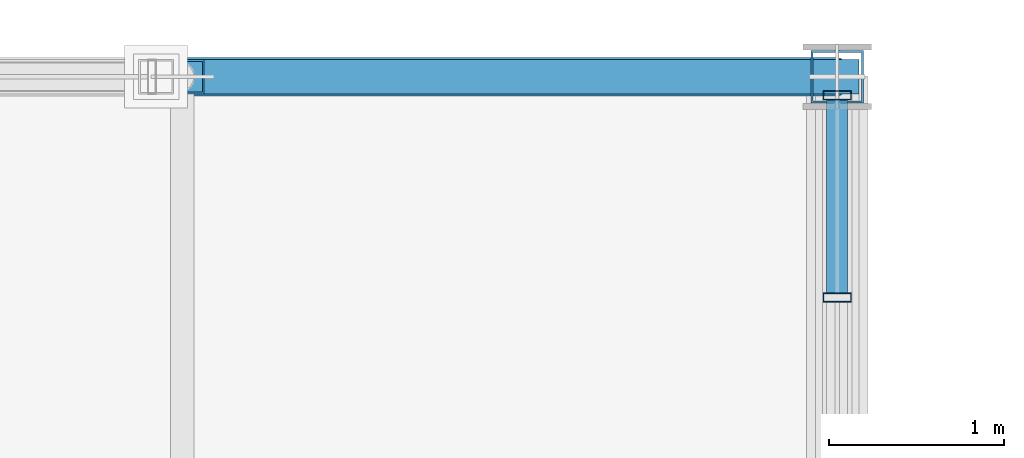
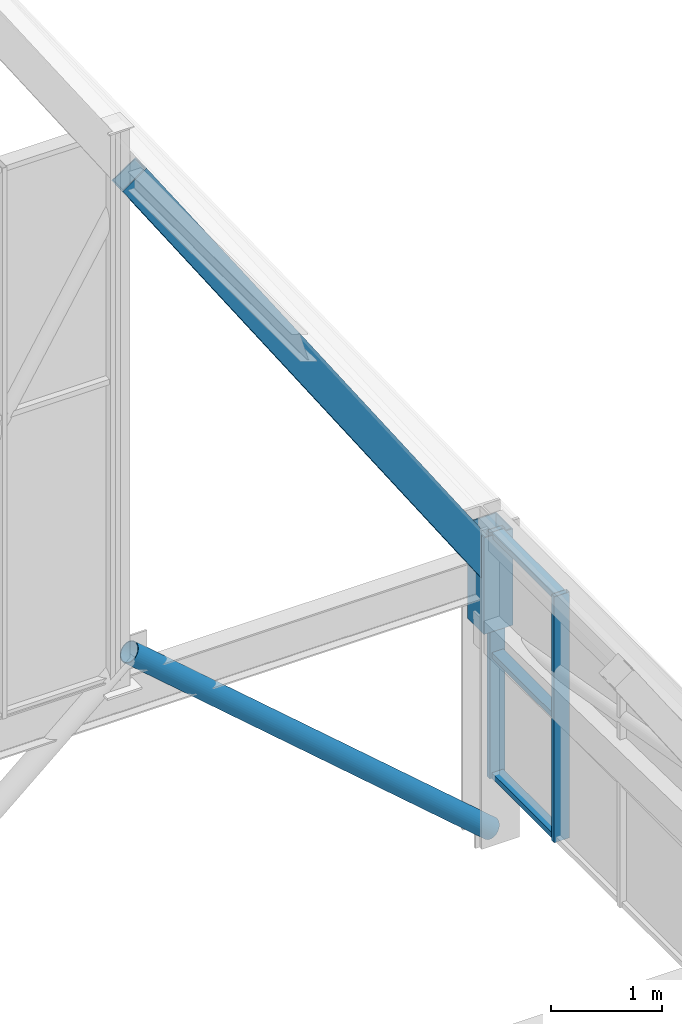
# One storey, part 244 of 324: 8 members, 1 element without a shape of its own.
"""IFC4 building model written with IfcOpenShell, lengths in metres."""

from ifc_helpers import new_model, si_unit, direction, frame, origin, origin_2d, place, context, subcontext, project, spatial, hollow_rectangle, hollow_circle, extrude, material, layer, layer_set, material_profile, profile_set, type_object, element, aggregate, save


model = new_model("IFC4")

# Units and contexts
model_context = context("Model", 3, precision=1e-05, world=origin(), true_north=direction((0.0, 1.0)))
body_context = subcontext(model_context, "Body", "Model", "MODEL_VIEW")
ifc_project = project(units=[si_unit("LENGTHUNIT", "METRE"), si_unit("AREAUNIT", "SQUARE_METRE"), si_unit("VOLUMEUNIT", "CUBIC_METRE"), si_unit("PLANEANGLEUNIT", "RADIAN"), si_unit("MASSUNIT", "GRAM", prefix="KILO")], contexts=[model_context])

# Site, building, storey
site_placement = place(None, origin())
site = spatial("IfcSite", under=ifc_project, at=site_placement, CompositionType="ELEMENT")
building_placement = place(site_placement, origin())
building = spatial("IfcBuilding", under=site, at=building_placement, Name="Solvenia Promenade Tram Depot", CompositionType="ELEMENT")
storey_placement = place(building_placement, frame((0.0, 0.0, 4.5)))
storey = spatial("IfcBuildingStorey", under=building, at=storey_placement, Name="L01", CompositionType="ELEMENT", Elevation=4.5)

# Member
ifc_material_1 = material(Name="Structural steel ASTM A500 Gr. C", Category="steel")
ifc_material_profile_1 = material_profile(ifc_material_1, hollow_circle(Radius=0.109619140625, WallThickness=0.008056640625, at=origin_2d()), Name="CHS219.1x8", Category="steel")
ifc_profile_set_1 = profile_set([ifc_material_profile_1], Name="Structural steel ASTM A500 Gr. C")
member_type_1 = type_object("IfcMemberType", Name="Brace-CHS219x8", PredefinedType="BRACE", material=ifc_profile_set_1)
member_1_placement = place(storey_placement, frame((150.0, 126.0, 0.050048828125), z_axis=(-0.75568908279, 0.0, 0.654930538418), x_axis=(0.0, -1.0, 0.0)))
element("IfcMember", 1, at=member_1_placement, inside=storey, type_object=member_type_1, Name="PAC-DES Chevron Brace 06R", PredefinedType="BRACE", context=body_context, shape_type="SweptSolid", body=[
    extrude(hollow_circle(Radius=0.109619140625, WallThickness=0.008056640625, at=origin_2d()), origin(), (0.0, 0.0, 1.0), 4.96240234375),
])

# Curtain wall, members
ifc_material_2 = material(Name="Anodized aluminium AW-6063 T6", Category="aluminium")
ifc_layer = layer(ifc_material_2, 0.159912109375, Name="Anodized aluminium AW-6063 T6", Category="aluminium")
ifc_layer_set = layer_set([ifc_layer], Name="Anodized aluminium AW-6063 T6")
curtain_wall_type = type_object("IfcCurtainWallType", Name="CW-Channel-1200", PredefinedType="NOTDEFINED", material=ifc_layer_set)
curtain_wall_placement = place(storey_placement, origin())
curtain_wall = element("IfcCurtainWall", 2, at=curtain_wall_placement, inside=storey, type_object=curtain_wall_type, Name="Curtain Wall CW-V1E-10", PredefinedType="NOTDEFINED")
ifc_material_profile_2 = material_profile(ifc_material_2, hollow_rectangle(XDim=0.159912109375, YDim=0.052001953125, WallThickness=0.00390625, at=origin_2d()), Name="ALU-M1", Category="aluminium")
ifc_profile_set_2 = profile_set([ifc_material_profile_2], Name="Anodized aluminium AW-6063 T6")
member_type_2 = type_object("IfcMemberType", Name="CWM-Mullion-1", PredefinedType="MULLION", material=ifc_profile_set_2)
member_2_placement = place(storey_placement, frame((150.0, 124.736083984375, 0.699951171875), z_axis=(0.0, 0.0, 1.0), x_axis=(-1.0, 0.0, 0.0)))
member_2 = element("IfcMember", 3, at=member_2_placement, type_object=member_type_2, Name="CW-1 mullion 5", PredefinedType="MULLION", context=body_context, shape_type="SweptSolid", body=[
    extrude(hollow_rectangle(XDim=0.159912109375, YDim=0.052001953125, WallThickness=0.00390625, at=origin_2d()), origin(), (0.0, 0.0, 1.0), 2.699951171875),
])
member_3_placement = place(storey_placement, frame((150.0, 125.89404296875, 0.699951171875), z_axis=(0.0, 0.0, 1.0), x_axis=(-1.0, 0.0, 0.0)))
member_3 = element("IfcMember", 4, at=member_3_placement, type_object=member_type_2, Name="CW-1 mullion 6", PredefinedType="MULLION", context=body_context, shape_type="SweptSolid", body=[
    extrude(hollow_rectangle(XDim=0.159912109375, YDim=0.052001953125, WallThickness=0.00390625, at=origin_2d()), origin(), (0.0, 0.0, 1.0), 2.699951171875),
])
ifc_material_profile_3 = material_profile(ifc_material_2, hollow_rectangle(XDim=0.1201171875, YDim=0.06005859375, WallThickness=0.00390625, at=origin_2d()), Name="ALU-T1", Category="aluminium")
ifc_profile_set_3 = profile_set([ifc_material_profile_3], Name="Anodized aluminium AW-6063 T6")
member_type_3 = type_object("IfcMemberType", Name="CWT-Transom-1", PredefinedType="USERDEFINED", material=ifc_profile_set_3)
member_4_placement = place(storey_placement, frame((150.0, 124.761962890625, 0.72998046875), z_axis=(0.0, 1.0, 0.0), x_axis=(-1.0, 0.0, 0.0)))
member_4 = element("IfcMember", 5, at=member_4_placement, type_object=member_type_3, Name="CW-1 transom 5.1", ObjectType="TRANSOM", PredefinedType="USERDEFINED", context=body_context, shape_type="SweptSolid", body=[
    extrude(hollow_rectangle(XDim=0.1201171875, YDim=0.06005859375, WallThickness=0.00390625, at=origin_2d()), origin(), (0.0, 0.0, 1.0), 1.10595703125),
])
member_5_placement = place(storey_placement, frame((150.0, 124.761962890625, 2.050048828125), z_axis=(0.0, 1.0, 0.0), x_axis=(-1.0, 0.0, 0.0)))
member_5 = element("IfcMember", 6, at=member_5_placement, type_object=member_type_3, Name="CW-1 transom 5.2", ObjectType="TRANSOM", PredefinedType="USERDEFINED", context=body_context, shape_type="SweptSolid", body=[
    extrude(hollow_rectangle(XDim=0.1201171875, YDim=0.06005859375, WallThickness=0.00390625, at=origin_2d()), origin(), (0.0, 0.0, 1.0), 1.10595703125),
])
member_6_placement = place(storey_placement, frame((150.0, 124.761962890625, 3.3701171875), z_axis=(0.0, 1.0, 0.0), x_axis=(-1.0, 0.0, 0.0)))
member_6 = element("IfcMember", 7, at=member_6_placement, type_object=member_type_3, Name="CW-1 transom 5.3", ObjectType="TRANSOM", PredefinedType="USERDEFINED", context=body_context, shape_type="SweptSolid", body=[
    extrude(hollow_rectangle(XDim=0.1201171875, YDim=0.06005859375, WallThickness=0.00390625, at=origin_2d()), origin(), (0.0, 0.0, 1.0), 1.10595703125),
])
aggregate(curtain_wall, [member_2, member_3, member_4, member_5, member_6])

# Members
ifc_material_profile_4 = material_profile(ifc_material_1, hollow_rectangle(XDim=0.199951171875, YDim=0.300048828125, WallThickness=0.012451171875, at=origin_2d()), Name="HSS300x200x12.5", Category="steel")
ifc_profile_set_4 = profile_set([ifc_material_profile_4], Name="Structural steel ASTM A500 Gr. C")
member_type_4 = type_object("IfcMemberType", Name="Chord-HSS300x200x12", PredefinedType="CHORD", material=ifc_profile_set_4)
member_7_placement = place(storey_placement, frame((146.25, 126.0, 8.54443359375), z_axis=(0.557276274528, 0.0, -0.830327136644), x_axis=(0.0, 1.0, 0.0)))
element("IfcMember", 8, at=member_7_placement, inside=storey, type_object=member_type_4, Name="Zigzag Gable 10 East Lower Rafter", PredefinedType="CHORD", context=body_context, shape_type="SweptSolid", body=[
    extrude(hollow_rectangle(XDim=0.199951171875, YDim=0.300048828125, WallThickness=0.012451171875, at=origin_2d()), origin(), (0.0, 0.0, 1.0), 6.729248046875),
])
ifc_material_profile_5 = material_profile(ifc_material_1, hollow_rectangle(XDim=0.300048828125, YDim=0.300048828125, WallThickness=0.012451171875, at=origin_2d()), Name="HSS300x300x12.5", Category="steel")
ifc_profile_set_5 = profile_set([ifc_material_profile_5], Name="Structural steel ASTM A500 Gr. C")
member_type_5 = type_object("IfcMemberType", Name="Chord-HSS300x300x12", PredefinedType="CHORD", material=ifc_profile_set_5)
member_8_placement = place(storey_placement, frame((150.0, 126.0, 2.320068359375), z_axis=(0.0, 0.0, 1.0), x_axis=(1.0, 0.0, 0.0)))
element("IfcMember", 9, at=member_8_placement, inside=storey, type_object=member_type_5, Name="Arched Truss T21 N End Post", PredefinedType="CHORD", context=body_context, shape_type="SweptSolid", body=[
    extrude(hollow_rectangle(XDim=0.300048828125, YDim=0.300048828125, WallThickness=0.012451171875, at=origin_2d()), origin(), (0.0, 0.0, 1.0), 1.059814453125),
])

save(model, "model.ifc")
